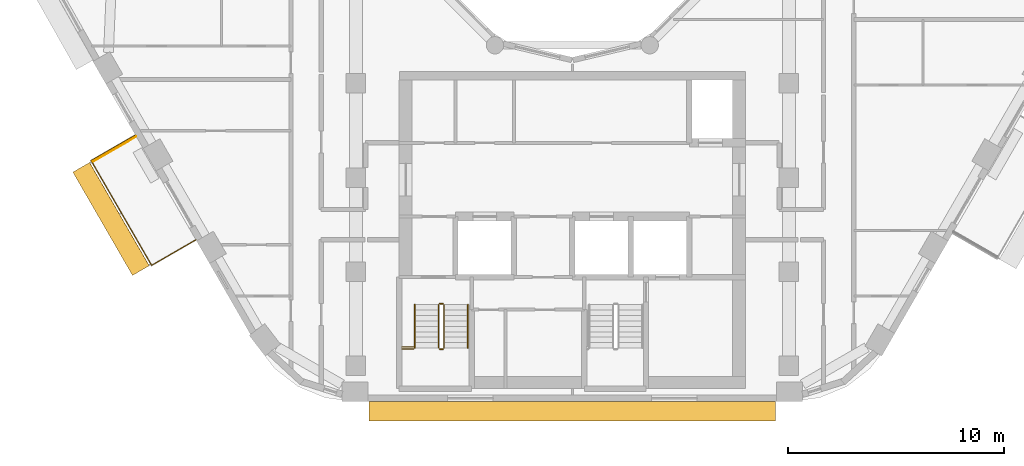
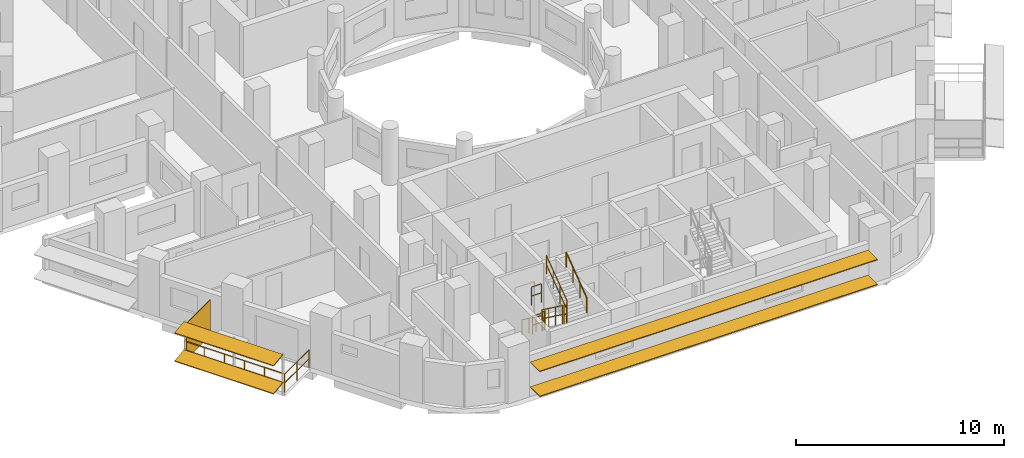
# One storey, part 12 of 15: 9 railings, 5 shading devices.
"""IFC4 building model written with IfcOpenShell, lengths in metres."""

from ifc_helpers import new_model, si_unit, direction, frame, origin, origin_2d, place, context, subcontext, project, spatial, rectangle, circle, extrude, material, layer, layer_set, material_profile, profile_set, type_object, element, save


model = new_model("IFC4")

# Units and contexts
model_context = context("Model", 3, precision=1e-05, world=origin(), true_north=direction((0.0, 1.0)))
body_context = subcontext(model_context, "Body", "Model", "MODEL_VIEW")
ifc_project = project(units=[si_unit("LENGTHUNIT", "METRE"), si_unit("AREAUNIT", "SQUARE_METRE"), si_unit("VOLUMEUNIT", "CUBIC_METRE"), si_unit("PLANEANGLEUNIT", "RADIAN"), si_unit("MASSUNIT", "GRAM", prefix="KILO")], contexts=[model_context])

# Site, building, storey
site_placement = place(None, origin())
site = spatial("IfcSite", under=ifc_project, at=site_placement, CompositionType="ELEMENT")
building_placement = place(site_placement, origin())
building = spatial("IfcBuilding", under=site, at=building_placement, Name="Nakaniwa Court", CompositionType="ELEMENT")
storey_placement = place(building_placement, frame((0.0, 0.0, 189.89990234375)))
storey = spatial("IfcBuildingStorey", under=building, at=storey_placement, Name="L49", CompositionType="ELEMENT", Elevation=189.89990234375)

# Railing
ifc_material_1 = material(Name="Black powder-coated steel flat bar balustrade S275", Category="steel")
railing_type_1 = type_object("IfcRailingType", Name="Black metal balcony guard 1100", PredefinedType="GUARDRAIL", material=ifc_material_1)
railing_1_placement = place(storey_placement, frame((59.814697265625, 69.662109375, -0.0498046875)))
element("IfcRailing", 1, at=railing_1_placement, inside=storey, type_object=railing_type_1, Name="L49 balcony guard 01", PredefinedType="GUARDRAIL", context=body_context, shape_type="SweptSolid", body=[
    extrude(circle(Radius=0.02392578125, at=origin_2d()), frame((0.0, 0.0, 1.076171875), z_axis=(-0.866006432019, -0.500032858622, 0.0), x_axis=(0.500032858622, -0.866006432019, 0.0)), (0.0, 0.0, 1.0), 2.360107421875),
    extrude(circle(Radius=0.02392578125, at=origin_2d()), frame((0.0, 0.0, 0.550048828125), z_axis=(-0.866006432019, -0.500032858622, 0.0), x_axis=(0.500032858622, -0.866006432019, 0.0)), (0.0, 0.0, 1.0), 2.360107421875),
    extrude(circle(Radius=0.02392578125, at=origin_2d()), frame((-2.0439453125, -1.18017578125, 1.076171875), z_axis=(0.500033774286, -0.866005903313, 0.0), x_axis=(0.866005903313, 0.500033774286, 0.0)), (0.0, 0.0, 1.0), 5.5888671875),
    extrude(circle(Radius=0.02392578125, at=origin_2d()), frame((-2.0439453125, -1.18017578125, 0.550048828125), z_axis=(0.500033774286, -0.866005903313, 0.0), x_axis=(0.866005903313, 0.500033774286, 0.0)), (0.0, 0.0, 1.0), 5.5888671875),
    extrude(circle(Radius=0.02392578125, at=origin_2d()), frame((0.750732421875, -6.020263671875, 1.076171875), z_axis=(0.865980564943, 0.500077655111, 0.0), x_axis=(-0.500077655111, 0.865980564943, 0.0)), (0.0, 0.0, 1.0), 2.35986328125),
    extrude(circle(Radius=0.02392578125, at=origin_2d()), frame((0.750732421875, -6.020263671875, 0.550048828125), z_axis=(0.865980564943, 0.500077655111, 0.0), x_axis=(-0.500077655111, 0.865980564943, 0.0)), (0.0, 0.0, 1.0), 2.35986328125),
    extrude(circle(Radius=0.02099609375, at=origin_2d()), origin(), (0.0, 0.0, 1.0), 1.052001953125),
    extrude(circle(Radius=0.02099609375, at=origin_2d()), frame((-1.02197265625, -0.590087890625, 0.0)), (0.0, 0.0, 1.0), 1.052001953125),
    extrude(circle(Radius=0.02099609375, at=origin_2d()), frame((-2.0439453125, -1.18017578125, 0.0)), (0.0, 0.0, 1.0), 1.052001953125),
    extrude(circle(Radius=0.02099609375, at=origin_2d()), frame((-1.485107421875, -2.148193359375, 0.0)), (0.0, 0.0, 1.0), 1.052001953125),
    extrude(circle(Radius=0.02099609375, at=origin_2d()), frame((-0.926025390625, -3.1162109375, 0.0)), (0.0, 0.0, 1.0), 1.052001953125),
    extrude(circle(Radius=0.02099609375, at=origin_2d()), frame((-0.3671875, -4.084228515625, 0.0)), (0.0, 0.0, 1.0), 1.052001953125),
    extrude(circle(Radius=0.02099609375, at=origin_2d()), frame((0.19189453125, -5.05224609375, 0.0)), (0.0, 0.0, 1.0), 1.052001953125),
    extrude(circle(Radius=0.02099609375, at=origin_2d()), frame((0.750732421875, -6.020263671875, 0.0)), (0.0, 0.0, 1.0), 1.052001953125),
    extrude(circle(Radius=0.02099609375, at=origin_2d()), frame((1.7724609375, -5.43017578125, 0.0)), (0.0, 0.0, 1.0), 1.052001953125),
    extrude(circle(Radius=0.02099609375, at=origin_2d()), frame((2.79443359375, -4.840087890625, 0.0)), (0.0, 0.0, 1.0), 1.052001953125),
])

# Shading devices
ifc_material_2 = material(Name="Black powder-coated aluminium slat screen", Category="aluminium")
ifc_layer = layer(ifc_material_2, 0.0400390625)
ifc_layer_set = layer_set([ifc_layer], Name="Black powder-coated aluminium slat screen")
shading_device_type_1 = type_object("IfcShadingDeviceType", Name="Koshi screen black metal", PredefinedType="USERDEFINED", material=ifc_layer_set)
shading_device_placement = place(storey_placement, frame((58.854248046875, 69.01513671875, -0.050048828125), z_axis=(0.0, 0.0, 1.0), x_axis=(0.500016626402, -0.866015804314, 0.0)))
element("IfcShadingDevice", 2, at=shading_device_placement, inside=storey, type_object=shading_device_type_1, Name="L49 balcony SCREEN 01 W", ObjectType="KOSHI SCREEN", PredefinedType="USERDEFINED", context=body_context, shape_type="SweptSolid", body=[
    extrude(rectangle(XDim=0.0400390625, YDim=2.31005859375, at=origin_2d()), origin(), (0.0, 0.0, 1.0), 2.10009765625),
])
ifc_material_3 = material(Name="Perforated charcoal ceramic louvre blade")
ifc_material_profile = material_profile(ifc_material_3, rectangle(XDim=0.89990234375, YDim=0.050048828125, at=origin_2d()), Name="Perforated ceramic louvre blade")
ifc_profile_set = profile_set([ifc_material_profile], Name="Perforated charcoal ceramic louvre blade")
shading_device_type_2 = type_object("IfcShadingDeviceType", Name="Perforated ceramic louvre blade", PredefinedType="JALOUSIE", material=ifc_profile_set)
for number, where, z_axis, x_axis, name in (
    (3, (57.31494140625, 68.172607421875, 0.5), (0.500033184159, -0.866006244053, 0.0), (0.858597440584, 0.495755330951, 0.13052619222), "L49 perforated ceramic louvre blade 01 1"),
    (4, (57.31494140625, 68.172607421875, 2.150146484375), (0.500033184159, -0.866006244053, 0.0), (0.858597440584, 0.495755330951, 0.13052619222), "L49 perforated ceramic louvre blade 01 2"),
):
    element("IfcShadingDevice", number, at=place(storey_placement, frame(where, z_axis=z_axis, x_axis=x_axis)), inside=storey, type_object=shading_device_type_2, Name=name, PredefinedType="JALOUSIE", context=body_context, shape_type="SweptSolid", body=[
        extrude(rectangle(XDim=0.89990234375, YDim=0.050048828125, at=origin_2d()), origin(), (0.0, 0.0, 1.0), 5.509033203125),
    ])
for number, where, z_axis, x_axis, name in (
    (5, (70.6005859375, 56.89990234375, 0.550048828125), (1.0, 0.0, 0.0), (0.0, 1.0, 0.0), "L49 perforated ceramic louvre blade w26 1"),
    (6, (70.6005859375, 56.89990234375, 2.01513671875), (1.0, 0.0, 0.0), (0.0, 1.0, 0.0), "L49 perforated ceramic louvre blade w26 2"),
):
    element("IfcShadingDevice", number, at=place(storey_placement, frame(where, z_axis=z_axis, x_axis=x_axis)), inside=storey, type_object=shading_device_type_2, Name=name, PredefinedType="JALOUSIE", context=body_context, shape_type="SweptSolid", body=[
        extrude(rectangle(XDim=0.89990234375, YDim=0.050048828125, at=origin_2d()), origin(), (0.0, 0.0, 1.0), 18.79296875),
    ])

# Railings
ifc_material_4 = material(Name="Black powder coated steel guard", Category="steel")
railing_type_2 = type_object("IfcRailingType", Name="Stair guard 1100", PredefinedType="GUARDRAIL", material=ifc_material_4)
railing_2_placement = place(storey_placement, frame((73.824951171875, 61.824951171875, 0.183349609375)))
element("IfcRailing", 7, at=railing_2_placement, inside=storey, type_object=railing_type_2, Name="L49 ST3 stair guard 1", PredefinedType="GUARDRAIL", context=body_context, shape_type="SweptSolid", body=[
    extrude(circle(Radius=0.02392578125, at=origin_2d()), frame((0.0, 0.0, 1.076171875), z_axis=(0.0, -0.806379959628, 0.591397802423), x_axis=(1.0, 0.0, 0.0)), (0.0, 0.0, 1.0), 2.480224609375),
    extrude(circle(Radius=0.02392578125, at=origin_2d()), frame((0.0, 0.0, 0.550048828125), z_axis=(0.0, -0.806379959628, 0.591397802423), x_axis=(1.0, 0.0, 0.0)), (0.0, 0.0, 1.0), 2.480224609375),
    extrude(circle(Radius=0.02099609375, at=origin_2d()), origin(), (0.0, 0.0, 1.0), 1.052001953125),
    extrude(circle(Radius=0.02099609375, at=origin_2d()), frame((0.0, -0.666748046875, 0.489013671875)), (0.0, 0.0, 1.0), 1.052001953125),
    extrude(circle(Radius=0.02099609375, at=origin_2d()), frame((0.0, -1.333251953125, 0.977783203125)), (0.0, 0.0, 1.0), 1.052001953125),
    extrude(circle(Radius=0.02099609375, at=origin_2d()), frame((0.0, -2.0, 1.466796875)), (0.0, 0.0, 1.0), 1.052001953125),
])
railing_3_placement = place(storey_placement, frame((73.875, 59.77490234375, 1.650146484375)))
element("IfcRailing", 8, at=railing_3_placement, inside=storey, type_object=railing_type_2, Name="L49 ST3 stair guard 2", PredefinedType="GUARDRAIL", context=body_context, shape_type="SweptSolid", body=[
    extrude(circle(Radius=0.02392578125, at=origin_2d()), frame((0.0, 0.0, 1.076171875), z_axis=(1.0, 0.0, 0.0), x_axis=(0.0, 1.0, 0.0)), (0.0, 0.0, 1.0), 0.14990234375),
    extrude(circle(Radius=0.02392578125, at=origin_2d()), frame((0.0, 0.0, 0.550048828125), z_axis=(1.0, 0.0, 0.0), x_axis=(0.0, 1.0, 0.0)), (0.0, 0.0, 1.0), 0.14990234375),
    extrude(circle(Radius=0.02099609375, at=origin_2d()), origin(), (0.0, 0.0, 1.0), 1.052001953125),
    extrude(circle(Radius=0.02099609375, at=origin_2d()), frame((0.14990234375, 0.0, 0.0)), (0.0, 0.0, 1.0), 1.052001953125),
])
railing_4_placement = place(storey_placement, frame((74.074951171875, 59.824951171875, 1.83349609375)))
element("IfcRailing", 9, at=railing_4_placement, inside=storey, type_object=railing_type_2, Name="L49 ST3 stair guard 3", PredefinedType="GUARDRAIL", context=body_context, shape_type="SweptSolid", body=[
    extrude(circle(Radius=0.02392578125, at=origin_2d()), frame((0.0, 0.0, 1.076171875), z_axis=(0.0, 0.806426902644, 0.591333789573), x_axis=(-1.0, 0.0, 0.0)), (0.0, 0.0, 1.0), 2.47998046875),
    extrude(circle(Radius=0.02392578125, at=origin_2d()), frame((0.0, 0.0, 0.550048828125), z_axis=(0.0, 0.806426902644, 0.591333789573), x_axis=(-1.0, 0.0, 0.0)), (0.0, 0.0, 1.0), 2.47998046875),
    extrude(circle(Radius=0.02099609375, at=origin_2d()), origin(), (0.0, 0.0, 1.0), 1.052001953125),
    extrude(circle(Radius=0.02099609375, at=origin_2d()), frame((0.0, 0.666748046875, 0.48876953125)), (0.0, 0.0, 1.0), 1.052001953125),
    extrude(circle(Radius=0.02099609375, at=origin_2d()), frame((0.0, 1.333251953125, 0.977783203125)), (0.0, 0.0, 1.0), 1.052001953125),
    extrude(circle(Radius=0.02099609375, at=origin_2d()), frame((0.0, 2.0, 1.466552734375)), (0.0, 0.0, 1.0), 1.052001953125),
])
railing_5_placement = place(storey_placement, frame((73.875, 61.875, 0.0)))
element("IfcRailing", 10, at=railing_5_placement, inside=storey, type_object=railing_type_2, Name="L49 ST3 stair guard 4", PredefinedType="GUARDRAIL", context=body_context, shape_type="SweptSolid", body=[
    extrude(circle(Radius=0.02392578125, at=origin_2d()), frame((0.0, 0.0, 1.076171875), z_axis=(1.0, 0.0, 0.0), x_axis=(0.0, 1.0, 0.0)), (0.0, 0.0, 1.0), 0.14990234375),
    extrude(circle(Radius=0.02392578125, at=origin_2d()), frame((0.0, 0.0, 0.550048828125), z_axis=(1.0, 0.0, 0.0), x_axis=(0.0, 1.0, 0.0)), (0.0, 0.0, 1.0), 0.14990234375),
    extrude(circle(Radius=0.02099609375, at=origin_2d()), origin(), (0.0, 0.0, 1.0), 1.052001953125),
    extrude(circle(Radius=0.02099609375, at=origin_2d()), frame((0.14990234375, 0.0, 0.0)), (0.0, 0.0, 1.0), 1.052001953125),
])
for number, where, name in (
    (11, (72.125, 59.77490234375, 1.650146484375), "L49 ST3 landing side guard 1W"),
    (12, (72.125, 59.875, 3.300048828125), "L49 ST3 floor edge guard 1W"),
):
    element("IfcRailing", number, at=place(storey_placement, frame(where)), inside=storey, type_object=railing_type_2, Name=name, PredefinedType="GUARDRAIL", context=body_context, shape_type="SweptSolid", body=[
        extrude(circle(Radius=0.02392578125, at=origin_2d()), frame((0.0, 0.0, 1.076171875), z_axis=(1.0, 0.0, 0.0), x_axis=(0.0, 1.0, 0.0)), (0.0, 0.0, 1.0), 0.550048828125),
        extrude(circle(Radius=0.02392578125, at=origin_2d()), frame((0.0, 0.0, 0.550048828125), z_axis=(1.0, 0.0, 0.0), x_axis=(0.0, 1.0, 0.0)), (0.0, 0.0, 1.0), 0.550048828125),
        extrude(circle(Radius=0.02099609375, at=origin_2d()), origin(), (0.0, 0.0, 1.0), 1.052001953125),
        extrude(circle(Radius=0.02099609375, at=origin_2d()), frame((0.550048828125, 0.0, 0.0)), (0.0, 0.0, 1.0), 1.052001953125),
    ])
ifc_material_5 = material(Name="Black powder coated steel handrail", Category="steel")
railing_type_3 = type_object("IfcRailingType", Name="Stair handrail 900", PredefinedType="HANDRAIL", material=ifc_material_5)
railing_6_placement = place(storey_placement, frame((72.72509765625, 61.824951171875, 0.183349609375)))
element("IfcRailing", 13, at=railing_6_placement, inside=storey, type_object=railing_type_3, Name="L49 ST3 stair handrail 1", PredefinedType="HANDRAIL", context=body_context, shape_type="SweptSolid", body=[
    extrude(circle(Radius=0.02392578125, at=origin_2d()), frame((0.0, 0.0, 0.8759765625), z_axis=(0.0, -0.806379959628, 0.591397802423), x_axis=(1.0, 0.0, 0.0)), (0.0, 0.0, 1.0), 2.480224609375),
    extrude(circle(Radius=0.02099609375, at=origin_2d()), origin(), (0.0, 0.0, 1.0), 0.851806640625),
    extrude(circle(Radius=0.02099609375, at=origin_2d()), frame((0.0, -0.666748046875, 0.489013671875)), (0.0, 0.0, 1.0), 0.851806640625),
    extrude(circle(Radius=0.02099609375, at=origin_2d()), frame((0.0, -1.333251953125, 0.977783203125)), (0.0, 0.0, 1.0), 0.851806640625),
    extrude(circle(Radius=0.02099609375, at=origin_2d()), frame((0.0, -2.0, 1.466796875)), (0.0, 0.0, 1.0), 0.851806640625),
])
railing_7_placement = place(storey_placement, frame((75.175048828125, 59.824951171875, 1.83349609375)))
element("IfcRailing", 14, at=railing_7_placement, inside=storey, type_object=railing_type_3, Name="L49 ST3 stair handrail 2", PredefinedType="HANDRAIL", context=body_context, shape_type="SweptSolid", body=[
    extrude(circle(Radius=0.02392578125, at=origin_2d()), frame((0.0, 0.0, 0.8759765625), z_axis=(0.0, 0.806426902644, 0.591333789573), x_axis=(-1.0, 0.0, 0.0)), (0.0, 0.0, 1.0), 2.47998046875),
    extrude(circle(Radius=0.02099609375, at=origin_2d()), origin(), (0.0, 0.0, 1.0), 0.851806640625),
    extrude(circle(Radius=0.02099609375, at=origin_2d()), frame((0.0, 0.666748046875, 0.48876953125)), (0.0, 0.0, 1.0), 0.851806640625),
    extrude(circle(Radius=0.02099609375, at=origin_2d()), frame((0.0, 1.333251953125, 0.977783203125)), (0.0, 0.0, 1.0), 0.851806640625),
    extrude(circle(Radius=0.02099609375, at=origin_2d()), frame((0.0, 2.0, 1.466552734375)), (0.0, 0.0, 1.0), 0.851806640625),
])

save(model, "model.ifc")
